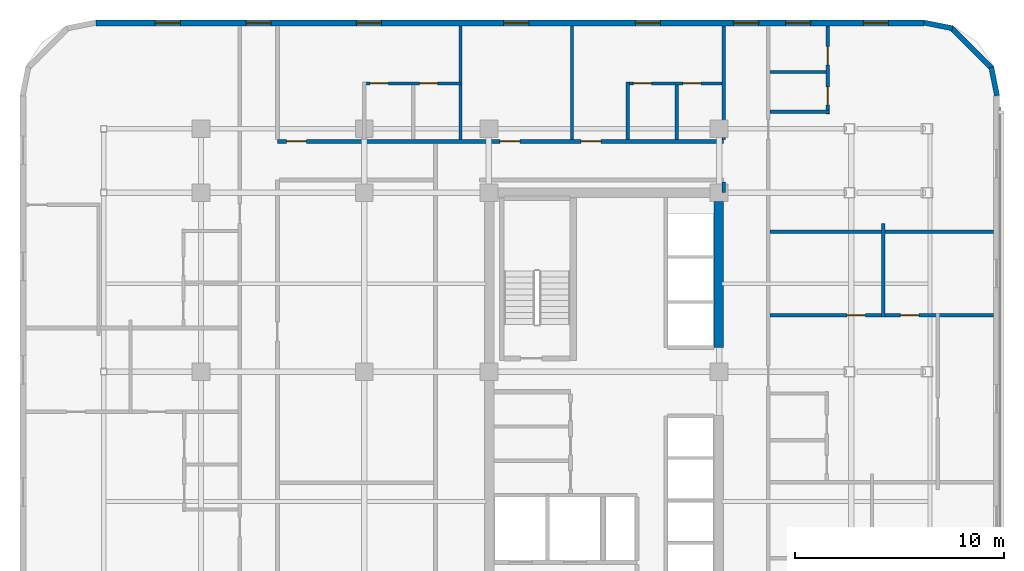
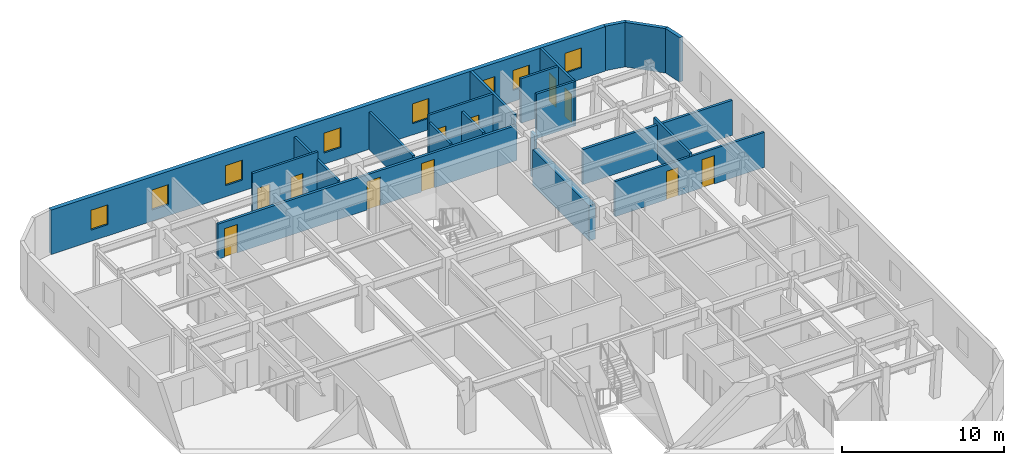
# One storey, part 10 of 14: 20 walls, 11 doors, 8 windows, 19 openings.
"""IFC4 building model written with IfcOpenShell, lengths in metres."""

from ifc_helpers import new_model, si_unit, direction, frame, frame_2d, origin, place, context, subcontext, project, spatial, rectangle, extrude, material, layer, layer_set, type_object, element, fill, save


model = new_model("IFC4")

# Units and contexts
model_context = context("Model", 3, precision=1e-05, world=origin(), true_north=direction((0.0, 1.0)))
body_context = subcontext(model_context, "Body", "Model", "MODEL_VIEW")
ifc_project = project(units=[si_unit("LENGTHUNIT", "METRE"), si_unit("AREAUNIT", "SQUARE_METRE"), si_unit("VOLUMEUNIT", "CUBIC_METRE"), si_unit("PLANEANGLEUNIT", "RADIAN"), si_unit("MASSUNIT", "GRAM", prefix="KILO")], contexts=[model_context])

# Site, building, storey
site_placement = place(None, origin())
site = spatial("IfcSite", under=ifc_project, at=site_placement, CompositionType="ELEMENT")
building_placement = place(site_placement, origin())
building = spatial("IfcBuilding", under=site, at=building_placement, Name="Ochreholt Gables", CompositionType="ELEMENT")
storey_placement = place(building_placement, frame((0.0, 0.0, 42.0)))
storey = spatial("IfcBuildingStorey", under=building, at=storey_placement, Name="L10", CompositionType="ELEMENT", Elevation=42.0)

# Wall
ifc_material_1 = material(Name="Concrete 60 MPa", Category="concrete")
ifc_layer_1 = layer(ifc_material_1, 0.449951171875, Name="Concrete 60 MPa")
ifc_layer_set_1 = layer_set([ifc_layer_1], Name="Concrete 60 MPa")
wall_type_1 = type_object("IfcWallType", Name="WALL-CSW-450", PredefinedType="SHEAR", material=ifc_layer_set_1)
wall_1_placement = place(storey_placement, frame((35.175048828125, 31.35009765625, 0.0), z_axis=(0.0, 0.0, 1.0), x_axis=(0.0, 1.0, 0.0)))
element("IfcWall", 1, at=wall_1_placement, inside=storey, type_object=wall_type_1, Name="L10 Core North-East Shear Wall", PredefinedType="SHEAR", context=body_context, shape_type="SweptSolid", body=[
    extrude(rectangle(XDim=6.974853515625, YDim=0.449951171875, at=frame_2d((3.4873046875, 0.0))), origin(), (0.0, 0.0, 1.0), 2.6669921875),
])

# Wall, openings, windows
ifc_material_2 = material(Name="Precast concrete 40 MPa", Category="concrete")
ifc_layer_2 = layer(ifc_material_2, 0.2900390625, Name="Precast concrete 40 MPa")
ifc_layer_set_2 = layer_set([ifc_layer_2], Name="Precast concrete 40 MPa")
wall_type_2 = type_object("IfcWallType", Name="WALL-EXT-290", PredefinedType="SOLIDWALL", material=ifc_layer_set_2)
wall_2_placement = place(storey_placement, frame((44.97998046875, 46.85498046875, 0.0), z_axis=(0.0, 0.0, 1.0), x_axis=(-1.0, 0.0, 0.0)))
wall_2 = element("IfcWall", 2, at=wall_2_placement, inside=storey, type_object=wall_type_2, Name="L10 North Exterior Wall", PredefinedType="SOLIDWALL", context=body_context, shape_type="SweptSolid", body=[
    extrude(rectangle(XDim=39.56005859375, YDim=0.2900390625, at=frame_2d((19.780029296875, 0.0))), origin(), (0.0, 0.0, 1.0), 3.360107421875),
])
opening_1_placement = place(wall_2_placement, frame((35.52001953125, 0.0, 0.85009765625)))
opening_1 = element("IfcOpeningElement", 3, at=opening_1_placement, cuts=wall_2, Name="Opening WN-3", PredefinedType="OPENING", context=body_context, shape_type="SweptSolid", body=[
    extrude(rectangle(XDim=1.199951171875, YDim=1.5, at=frame_2d((0.60009765625, 0.75))), frame((0.0, 0.155029296875, 0.0), z_axis=(0.0, -1.0, 0.0), x_axis=(1.0, 0.0, 0.0)), (0.0, 0.0, 1.0), 0.31005859375),
])
opening_2_placement = place(wall_2_placement, frame((31.179931640625, 0.0, 0.85009765625)))
opening_2 = element("IfcOpeningElement", 4, at=opening_2_placement, cuts=wall_2, Name="Opening WN-3", PredefinedType="OPENING", context=body_context, shape_type="SweptSolid", body=[
    extrude(rectangle(XDim=1.199951171875, YDim=1.5, at=frame_2d((0.60009765625, 0.75))), frame((0.0, 0.155029296875, 0.0), z_axis=(0.0, -1.0, 0.0), x_axis=(1.0, 0.0, 0.0)), (0.0, 0.0, 1.0), 0.31005859375),
])
opening_3_placement = place(wall_2_placement, frame((25.909423828125, 0.0, 0.85009765625)))
opening_3 = element("IfcOpeningElement", 5, at=opening_3_placement, cuts=wall_2, Name="Opening WN-3", PredefinedType="OPENING", context=body_context, shape_type="SweptSolid", body=[
    extrude(rectangle(XDim=1.199951171875, YDim=1.5, at=frame_2d((0.60009765625, 0.75))), frame((0.0, 0.155029296875, 0.0), z_axis=(0.0, -1.0, 0.0), x_axis=(1.0, 0.0, 0.0)), (0.0, 0.0, 1.0), 0.31005859375),
])
opening_4_placement = place(wall_2_placement, frame((18.873779296875, 0.0, 0.85009765625)))
opening_4 = element("IfcOpeningElement", 6, at=opening_4_placement, cuts=wall_2, Name="Opening WN-3", PredefinedType="OPENING", context=body_context, shape_type="SweptSolid", body=[
    extrude(rectangle(XDim=1.199951171875, YDim=1.5, at=frame_2d((0.60009765625, 0.75))), frame((0.0, 0.155029296875, 0.0), z_axis=(0.0, -1.0, 0.0), x_axis=(1.0, 0.0, 0.0)), (0.0, 0.0, 1.0), 0.31005859375),
])
opening_5_placement = place(wall_2_placement, frame((12.58447265625, 0.0, 0.85009765625)))
opening_5 = element("IfcOpeningElement", 7, at=opening_5_placement, cuts=wall_2, Name="Opening WN-3", PredefinedType="OPENING", context=body_context, shape_type="SweptSolid", body=[
    extrude(rectangle(XDim=1.199951171875, YDim=1.5, at=frame_2d((0.60009765625, 0.75))), frame((0.0, 0.155029296875, 0.0), z_axis=(0.0, -1.0, 0.0), x_axis=(1.0, 0.0, 0.0)), (0.0, 0.0, 1.0), 0.31005859375),
])
opening_6_placement = place(wall_2_placement, frame((7.89501953125, 0.0, 0.85009765625)))
opening_6 = element("IfcOpeningElement", 8, at=opening_6_placement, cuts=wall_2, Name="Opening WN-3", PredefinedType="OPENING", context=body_context, shape_type="SweptSolid", body=[
    extrude(rectangle(XDim=1.199951171875, YDim=1.5, at=frame_2d((0.60009765625, 0.75))), frame((0.0, 0.155029296875, 0.0), z_axis=(0.0, -1.0, 0.0), x_axis=(1.0, 0.0, 0.0)), (0.0, 0.0, 1.0), 0.31005859375),
])
opening_7_placement = place(wall_2_placement, frame((5.407958984375, 0.0, 0.85009765625)))
opening_7 = element("IfcOpeningElement", 9, at=opening_7_placement, cuts=wall_2, Name="Opening WN-3", PredefinedType="OPENING", context=body_context, shape_type="SweptSolid", body=[
    extrude(rectangle(XDim=1.199951171875, YDim=1.5, at=frame_2d((0.60009765625, 0.75))), frame((0.0, 0.155029296875, 0.0), z_axis=(0.0, -1.0, 0.0), x_axis=(1.0, 0.0, 0.0)), (0.0, 0.0, 1.0), 0.31005859375),
])
opening_8_placement = place(wall_2_placement, frame((1.693115234375, 0.0, 0.85009765625)))
opening_8 = element("IfcOpeningElement", 10, at=opening_8_placement, cuts=wall_2, Name="Opening WN-3", PredefinedType="OPENING", context=body_context, shape_type="SweptSolid", body=[
    extrude(rectangle(XDim=1.199951171875, YDim=1.5, at=frame_2d((0.60009765625, 0.75))), frame((0.0, 0.155029296875, 0.0), z_axis=(0.0, -1.0, 0.0), x_axis=(1.0, 0.0, 0.0)), (0.0, 0.0, 1.0), 0.31005859375),
])
ifc_material_3 = material(Name="Triple-Glazed Thermally Broken Aluminium Window", Category="aluminium")
window_type = type_object("IfcWindowType", Name="WIN-RES-1200", PartitioningType="SINGLE_PANEL", PredefinedType="WINDOW", material=ifc_material_3)
window_1_placement = place(opening_1_placement, origin())
window_1 = element("IfcWindow", 11, at=window_1_placement, inside=storey, type_object=window_type, Name="L10 Window W-EXT-N-L10-1", OverallHeight=1.5, OverallWidth=1.199951171875, PartitioningType="SINGLE_PANEL", PredefinedType="WINDOW", context=body_context, shape_type="SweptSolid", body=[
    extrude(rectangle(XDim=1.199951171875, YDim=1.5, at=frame_2d((0.60009765625, 0.75))), frame((0.0, 0.030029296875, 0.0), z_axis=(0.0, -1.0, 0.0), x_axis=(1.0, 0.0, 0.0)), (0.0, 0.0, 1.0), 0.06005859375),
])
fill(opening_1, window_1)
window_2_placement = place(opening_2_placement, origin())
window_2 = element("IfcWindow", 12, at=window_2_placement, inside=storey, type_object=window_type, Name="L10 Window W-EXT-N-L10-2", OverallHeight=1.5, OverallWidth=1.199951171875, PartitioningType="SINGLE_PANEL", PredefinedType="WINDOW", context=body_context, shape_type="SweptSolid", body=[
    extrude(rectangle(XDim=1.199951171875, YDim=1.5, at=frame_2d((0.60009765625, 0.75))), frame((0.0, 0.030029296875, 0.0), z_axis=(0.0, -1.0, 0.0), x_axis=(1.0, 0.0, 0.0)), (0.0, 0.0, 1.0), 0.06005859375),
])
fill(opening_2, window_2)
window_3_placement = place(opening_3_placement, origin())
window_3 = element("IfcWindow", 13, at=window_3_placement, inside=storey, type_object=window_type, Name="L10 Window W-EXT-N-L10-3", OverallHeight=1.5, OverallWidth=1.199951171875, PartitioningType="SINGLE_PANEL", PredefinedType="WINDOW", context=body_context, shape_type="SweptSolid", body=[
    extrude(rectangle(XDim=1.199951171875, YDim=1.5, at=frame_2d((0.60009765625, 0.75))), frame((0.0, 0.030029296875, 0.0), z_axis=(0.0, -1.0, 0.0), x_axis=(1.0, 0.0, 0.0)), (0.0, 0.0, 1.0), 0.06005859375),
])
fill(opening_3, window_3)
window_4_placement = place(opening_4_placement, origin())
window_4 = element("IfcWindow", 14, at=window_4_placement, inside=storey, type_object=window_type, Name="L10 Window W-EXT-N-L10-4", OverallHeight=1.5, OverallWidth=1.199951171875, PartitioningType="SINGLE_PANEL", PredefinedType="WINDOW", context=body_context, shape_type="SweptSolid", body=[
    extrude(rectangle(XDim=1.199951171875, YDim=1.5, at=frame_2d((0.60009765625, 0.75))), frame((0.0, 0.030029296875, 0.0), z_axis=(0.0, -1.0, 0.0), x_axis=(1.0, 0.0, 0.0)), (0.0, 0.0, 1.0), 0.06005859375),
])
fill(opening_4, window_4)
window_5_placement = place(opening_5_placement, origin())
window_5 = element("IfcWindow", 15, at=window_5_placement, inside=storey, type_object=window_type, Name="L10 Window W-EXT-N-L10-5", OverallHeight=1.5, OverallWidth=1.199951171875, PartitioningType="SINGLE_PANEL", PredefinedType="WINDOW", context=body_context, shape_type="SweptSolid", body=[
    extrude(rectangle(XDim=1.199951171875, YDim=1.5, at=frame_2d((0.60009765625, 0.75))), frame((0.0, 0.030029296875, 0.0), z_axis=(0.0, -1.0, 0.0), x_axis=(1.0, 0.0, 0.0)), (0.0, 0.0, 1.0), 0.06005859375),
])
fill(opening_5, window_5)
window_6_placement = place(opening_6_placement, origin())
window_6 = element("IfcWindow", 16, at=window_6_placement, inside=storey, type_object=window_type, Name="L10 Window W-EXT-N-L10-6", OverallHeight=1.5, OverallWidth=1.199951171875, PartitioningType="SINGLE_PANEL", PredefinedType="WINDOW", context=body_context, shape_type="SweptSolid", body=[
    extrude(rectangle(XDim=1.199951171875, YDim=1.5, at=frame_2d((0.60009765625, 0.75))), frame((0.0, 0.030029296875, 0.0), z_axis=(0.0, -1.0, 0.0), x_axis=(1.0, 0.0, 0.0)), (0.0, 0.0, 1.0), 0.06005859375),
])
fill(opening_6, window_6)
window_7_placement = place(opening_7_placement, origin())
window_7 = element("IfcWindow", 17, at=window_7_placement, inside=storey, type_object=window_type, Name="L10 Window W-EXT-N-L10-7", OverallHeight=1.5, OverallWidth=1.199951171875, PartitioningType="SINGLE_PANEL", PredefinedType="WINDOW", context=body_context, shape_type="SweptSolid", body=[
    extrude(rectangle(XDim=1.199951171875, YDim=1.5, at=frame_2d((0.60009765625, 0.75))), frame((0.0, 0.030029296875, 0.0), z_axis=(0.0, -1.0, 0.0), x_axis=(1.0, 0.0, 0.0)), (0.0, 0.0, 1.0), 0.06005859375),
])
fill(opening_7, window_7)
window_8_placement = place(opening_8_placement, origin())
window_8 = element("IfcWindow", 18, at=window_8_placement, inside=storey, type_object=window_type, Name="L10 Window W-EXT-N-L10-8", OverallHeight=1.5, OverallWidth=1.199951171875, PartitioningType="SINGLE_PANEL", PredefinedType="WINDOW", context=body_context, shape_type="SweptSolid", body=[
    extrude(rectangle(XDim=1.199951171875, YDim=1.5, at=frame_2d((0.60009765625, 0.75))), frame((0.0, 0.030029296875, 0.0), z_axis=(0.0, -1.0, 0.0), x_axis=(1.0, 0.0, 0.0)), (0.0, 0.0, 1.0), 0.06005859375),
])
fill(opening_8, window_8)

# Walls
ifc_layer_3 = layer(ifc_material_2, 0.25, Name="Precast concrete 40 MPa")
ifc_layer_set_3 = layer_set([ifc_layer_3], Name="Precast concrete 40 MPa")
wall_type_3 = type_object("IfcWallType", Name="WALL-EXT-CNR", PredefinedType="SOLIDWALL", material=ifc_layer_set_3)
wall_3_placement = place(storey_placement, frame((48.475830078125, 43.383544921875, 0.0), z_axis=(0.0, 0.0, 1.0), x_axis=(-0.19496651342, 0.980809899341, 0.0)))
element("IfcWall", 19, at=wall_3_placement, inside=storey, type_object=wall_type_3, Name="L10 Rounded Corner Wall NE-1", PredefinedType="SOLIDWALL", context=body_context, shape_type="SweptSolid", body=[
    extrude(rectangle(XDim=1.388671875, YDim=0.25, at=frame_2d((0.6943359375, 0.0))), origin(), (0.0, 0.0, 1.0), 3.360107421875),
])
wall_4_placement = place(storey_placement, frame((48.23193359375, 44.695068359375, 0.0), z_axis=(0.0, 0.0, 1.0), x_axis=(-0.707106781187, 0.707106781187, 0.0)))
element("IfcWall", 20, at=wall_4_placement, inside=storey, type_object=wall_type_3, Name="L10 Rounded Corner Wall NE-2", PredefinedType="SOLIDWALL", context=body_context, shape_type="SweptSolid", body=[
    extrude(rectangle(XDim=2.7392578125, YDim=0.25, at=frame_2d((1.36962890625, 0.0))), origin(), (0.0, 0.0, 1.0), 3.360107421875),
])
wall_5_placement = place(storey_placement, frame((46.345458984375, 46.60498046875, 0.0), z_axis=(0.0, 0.0, 1.0), x_axis=(-0.980809899341, 0.19496651342, 0.0)))
element("IfcWall", 21, at=wall_5_placement, inside=storey, type_object=wall_type_3, Name="L10 Rounded Corner Wall NE-3", PredefinedType="SOLIDWALL", context=body_context, shape_type="SweptSolid", body=[
    extrude(rectangle(XDim=1.388671875, YDim=0.25, at=frame_2d((0.6943359375, 0.0))), origin(), (0.0, 0.0, 1.0), 3.360107421875),
])

# Wall, openings, doors
ifc_material_4 = material(Name="Fire-Rated Gypsum Acoustic Partition", Category="gypsum")
ifc_layer_4 = layer(ifc_material_4, 0.179931640625, Name="Fire-Rated Gypsum Acoustic Partition")
ifc_layer_set_4 = layer_set([ifc_layer_4], Name="Fire-Rated Gypsum Acoustic Partition")
wall_type_4 = type_object("IfcWallType", Name="WALL-INT-CR180", PredefinedType="STANDARD", material=ifc_layer_set_4)
wall_6_placement = place(storey_placement, frame((14.10009765625, 41.199951171875, 0.0), z_axis=(0.0, 0.0, 1.0), x_axis=(1.0, 0.0, 0.0)))
wall_6 = element("IfcWall", 22, at=wall_6_placement, inside=storey, type_object=wall_type_4, Name="L10 Interior Wall WI-C1N-L10", PredefinedType="STANDARD", context=body_context, shape_type="SweptSolid", body=[
    extrude(rectangle(XDim=21.31982421875, YDim=0.179931640625, at=frame_2d((10.659912109375, 0.0))), origin(), (0.0, 0.0, 1.0), 2.64892578125),
])
opening_9_placement = place(wall_6_placement, frame((0.43994140625, 0.0, 0.0)))
opening_9 = element("IfcOpeningElement", 23, at=opening_9_placement, cuts=wall_6, Name="Opening D-UN2", PredefinedType="OPENING", context=body_context, shape_type="SweptSolid", body=[
    extrude(rectangle(XDim=0.93994140625, YDim=2.14990234375, at=frame_2d((0.469970703125, 1.074951171875))), frame((0.0, 0.099853515625, 0.0), z_axis=(0.0, -1.0, 0.0), x_axis=(1.0, 0.0, 0.0)), (0.0, 0.0, 1.0), 0.199951171875),
])
opening_10_placement = place(wall_6_placement, frame((10.631103515625, 0.0, 0.0)))
opening_10 = element("IfcOpeningElement", 24, at=opening_10_placement, cuts=wall_6, Name="Opening D-GN1", PredefinedType="OPENING", context=body_context, shape_type="SweptSolid", body=[
    extrude(rectangle(XDim=0.949951171875, YDim=2.14990234375, at=frame_2d((0.47509765625, 1.074951171875))), frame((0.0, 0.099853515625, 0.0), z_axis=(0.0, -1.0, 0.0), x_axis=(1.0, 0.0, 0.0)), (0.0, 0.0, 1.0), 0.199951171875),
])
opening_11_placement = place(wall_6_placement, frame((14.51123046875, 0.0, 0.0)))
opening_11 = element("IfcOpeningElement", 25, at=opening_11_placement, cuts=wall_6, Name="Opening D-UN2", PredefinedType="OPENING", context=body_context, shape_type="SweptSolid", body=[
    extrude(rectangle(XDim=0.93994140625, YDim=2.14990234375, at=frame_2d((0.469970703125, 1.074951171875))), frame((0.0, 0.099853515625, 0.0), z_axis=(0.0, -1.0, 0.0), x_axis=(1.0, 0.0, 0.0)), (0.0, 0.0, 1.0), 0.199951171875),
])
ifc_material_5 = material(Name="Engineered Oak Timber", Category="wood")
door_type_1 = type_object("IfcDoorType", Name="DR-INT-GEN950", OperationType="NOTDEFINED", PredefinedType="DOOR", material=ifc_material_5)
door_1_placement = place(opening_10_placement, origin())
door_1 = element("IfcDoor", 26, at=door_1_placement, inside=storey, type_object=door_type_1, Name="L10 Door D-C1N3-L10", OperationType="SINGLE_SWING_RIGHT", OverallHeight=2.14990234375, OverallWidth=0.949951171875, PredefinedType="DOOR", context=body_context, shape_type="SweptSolid", body=[
    extrude(rectangle(XDim=0.949951171875, YDim=2.14990234375, at=frame_2d((0.47509765625, 1.074951171875))), frame((0.0, 0.02490234375, 0.0), z_axis=(0.0, -1.0, 0.0), x_axis=(1.0, 0.0, 0.0)), (0.0, 0.0, 1.0), 0.050048828125),
])
fill(opening_10, door_1)
door_type_2 = type_object("IfcDoorType", Name="DR-INT-UNT940", OperationType="NOTDEFINED", PredefinedType="DOOR", material=ifc_material_5)
door_2_placement = place(opening_9_placement, origin())
door_2 = element("IfcDoor", 27, at=door_2_placement, inside=storey, type_object=door_type_2, Name="L10 Door D-U-L10N1-ENT", OperationType="SINGLE_SWING_RIGHT", OverallHeight=2.14990234375, OverallWidth=0.93994140625, PredefinedType="DOOR", context=body_context, shape_type="SweptSolid", body=[
    extrude(rectangle(XDim=0.93994140625, YDim=2.14990234375, at=frame_2d((0.469970703125, 1.074951171875))), frame((0.0, 0.02490234375, 0.0), z_axis=(0.0, -1.0, 0.0), x_axis=(1.0, 0.0, 0.0)), (0.0, 0.0, 1.0), 0.050048828125),
])
fill(opening_9, door_2)
door_3_placement = place(opening_11_placement, origin())
door_3 = element("IfcDoor", 28, at=door_3_placement, inside=storey, type_object=door_type_2, Name="L10 Door D-U-L10N3-ENT", OperationType="SINGLE_SWING_RIGHT", OverallHeight=2.14990234375, OverallWidth=0.93994140625, PredefinedType="DOOR", context=body_context, shape_type="SweptSolid", body=[
    extrude(rectangle(XDim=0.93994140625, YDim=2.14990234375, at=frame_2d((0.469970703125, 1.074951171875))), frame((0.0, 0.02490234375, 0.0), z_axis=(0.0, -1.0, 0.0), x_axis=(1.0, 0.0, 0.0)), (0.0, 0.0, 1.0), 0.050048828125),
])
fill(opening_11, door_3)

# Walls
wall_7_placement = place(storey_placement, frame((35.419921875, 38.75, 0.0), z_axis=(0.0, 0.0, 1.0), x_axis=(0.0, 1.0, 0.0)))
element("IfcWall", 29, at=wall_7_placement, inside=storey, type_object=wall_type_4, Name="L10 Interior Wall WI-C1ENW2-L10", PredefinedType="STANDARD", context=body_context, shape_type="SweptSolid", body=[
    extrude(rectangle(XDim=0.510009765625, YDim=0.179931640625, at=frame_2d((0.2548828125, 0.0))), origin(), (0.0, 0.0, 1.0), 3.360107421875),
])
ifc_material_6 = material(Name="Double-Stud Acoustic Demising Wall", Category="gypsum")
ifc_layer_5 = layer(ifc_material_6, 0.179931640625, Name="Double-Stud Acoustic Demising Wall")
ifc_layer_set_5 = layer_set([ifc_layer_5], Name="Double-Stud Acoustic Demising Wall")
wall_type_5 = type_object("IfcWallType", Name="WALL-INT-DM180", PredefinedType="PARTITIONING", material=ifc_layer_set_5)
wall_8_placement = place(storey_placement, frame((35.419921875, 41.2900390625, 0.0), z_axis=(0.0, 0.0, 1.0), x_axis=(0.0, 1.0, 0.0)))
element("IfcWall", 30, at=wall_8_placement, inside=storey, type_object=wall_type_5, Name="L10 Interior Wall WI-C1ENW-L10", PredefinedType="PARTITIONING", context=body_context, shape_type="SweptSolid", body=[
    extrude(rectangle(XDim=5.419921875, YDim=0.179931640625, at=frame_2d((2.7099609375, 0.0))), origin(), (0.0, 0.0, 1.0), 3.360107421875),
])
wall_9_placement = place(storey_placement, frame((37.639892578125, 36.8798828125, 0.0), z_axis=(0.0, 0.0, 1.0), x_axis=(1.0, 0.0, 0.0)))
element("IfcWall", 31, at=wall_9_placement, inside=storey, type_object=wall_type_5, Name="L10 Interior Wall WI-UDE4-L10", PredefinedType="PARTITIONING", context=body_context, shape_type="SweptSolid", body=[
    extrude(rectangle(XDim=10.670166015625, YDim=0.179931640625, at=frame_2d((5.3349609375, 0.0))), origin(), (0.0, 0.0, 1.0), 2.64892578125),
])
ifc_material_7 = material(Name="Moisture-Resistant Plumbing Chase Wall", Category="gypsum")
ifc_layer_6 = layer(ifc_material_7, 0.159912109375, Name="Moisture-Resistant Plumbing Chase Wall")
ifc_layer_set_6 = layer_set([ifc_layer_6], Name="Moisture-Resistant Plumbing Chase Wall")
wall_type_6 = type_object("IfcWallType", Name="WALL-INT-PL160", PredefinedType="PLUMBINGWALL", material=ifc_layer_set_6)
wall_10_placement = place(storey_placement, frame((37.639892578125, 42.610107421875, 0.0), z_axis=(0.0, 0.0, 1.0), x_axis=(1.0, 0.0, 0.0)))
element("IfcWall", 32, at=wall_10_placement, inside=storey, type_object=wall_type_6, Name="L10 Interior Wall WU-L10E4-WYS", PredefinedType="PLUMBINGWALL", context=body_context, shape_type="SweptSolid", body=[
    extrude(rectangle(XDim=2.834228515625, YDim=0.159912109375, at=frame_2d((1.4169921875, 0.0))), origin(), (0.0, 0.0, 1.0), 3.360107421875),
])

# Wall, openings, doors
wall_11_placement = place(storey_placement, frame((40.39404296875, 42.52001953125, 0.0), z_axis=(0.0, 0.0, 1.0), x_axis=(0.0, 1.0, 0.0)))
wall_11 = element("IfcWall", 33, at=wall_11_placement, inside=storey, type_object=wall_type_6, Name="L10 Interior Wall WU-L10E4-WX", PredefinedType="PLUMBINGWALL", context=body_context, shape_type="SweptSolid", body=[
    extrude(rectangle(XDim=4.18994140625, YDim=0.159912109375, at=frame_2d((2.094970703125, 0.0))), origin(), (0.0, 0.0, 1.0), 3.360107421875),
])
opening_12_placement = place(wall_11_placement, frame((0.419921875, 0.0, 0.0)))
opening_12 = element("IfcOpeningElement", 34, at=opening_12_placement, cuts=wall_11, Name="Opening D-BT1", PredefinedType="OPENING", context=body_context, shape_type="SweptSolid", body=[
    extrude(rectangle(XDim=0.860107421875, YDim=2.1201171875, at=frame_2d((0.43017578125, 1.06005859375))), frame((0.0, 0.08984375, 0.0), z_axis=(0.0, -1.0, 0.0), x_axis=(1.0, 0.0, 0.0)), (0.0, 0.0, 1.0), 0.179931640625),
])
opening_13_placement = place(wall_11_placement, frame((2.3291015625, 0.0, 0.0)))
opening_13 = element("IfcOpeningElement", 35, at=opening_13_placement, cuts=wall_11, Name="Opening D-GN2", PredefinedType="OPENING", context=body_context, shape_type="SweptSolid", body=[
    extrude(rectangle(XDim=0.8798828125, YDim=2.1201171875, at=frame_2d((0.43994140625, 1.06005859375))), frame((0.0, 0.08984375, 0.0), z_axis=(0.0, -1.0, 0.0), x_axis=(1.0, 0.0, 0.0)), (0.0, 0.0, 1.0), 0.179931640625),
])
door_type_3 = type_object("IfcDoorType", Name="DR-INT-BTH860", OperationType="NOTDEFINED", PredefinedType="DOOR", material=ifc_material_5)
door_4_placement = place(opening_12_placement, origin())
door_4 = element("IfcDoor", 36, at=door_4_placement, inside=storey, type_object=door_type_3, Name="L10 Door D-U-L10E4-BTH", OperationType="SINGLE_SWING_RIGHT", OverallHeight=2.1201171875, OverallWidth=0.860107421875, PredefinedType="DOOR", context=body_context, shape_type="SweptSolid", body=[
    extrude(rectangle(XDim=0.860107421875, YDim=2.1201171875, at=frame_2d((0.43017578125, 1.06005859375))), frame((0.0, 0.02490234375, 0.0), z_axis=(0.0, -1.0, 0.0), x_axis=(1.0, 0.0, 0.0)), (0.0, 0.0, 1.0), 0.050048828125),
])
fill(opening_12, door_4)
door_type_4 = type_object("IfcDoorType", Name="DR-INT-GEN880", OperationType="NOTDEFINED", PredefinedType="DOOR", material=ifc_material_5)
door_5_placement = place(opening_13_placement, origin())
door_5 = element("IfcDoor", 37, at=door_5_placement, inside=storey, type_object=door_type_4, Name="L10 Door D-U-L10E4-KIT", OperationType="SINGLE_SWING_LEFT", OverallHeight=2.1201171875, OverallWidth=0.8798828125, PredefinedType="DOOR", context=body_context, shape_type="SweptSolid", body=[
    extrude(rectangle(XDim=0.8798828125, YDim=2.1201171875, at=frame_2d((0.43994140625, 1.06005859375))), frame((0.0, 0.02490234375, 0.0), z_axis=(0.0, -1.0, 0.0), x_axis=(1.0, 0.0, 0.0)), (0.0, 0.0, 1.0), 0.050048828125),
])
fill(opening_13, door_5)

# Wall
wall_12_placement = place(storey_placement, frame((37.639892578125, 44.51904296875, 0.0), z_axis=(0.0, 0.0, 1.0), x_axis=(1.0, 0.0, 0.0)))
element("IfcWall", 38, at=wall_12_placement, inside=storey, type_object=wall_type_6, Name="L10 Interior Wall WU-L10E4-WM", PredefinedType="PLUMBINGWALL", context=body_context, shape_type="SweptSolid", body=[
    extrude(rectangle(XDim=2.674072265625, YDim=0.159912109375, at=frame_2d((1.3369140625, 0.0))), origin(), (0.0, 0.0, 1.0), 3.360107421875),
])

# Wall, openings, doors
wall_13_placement = place(storey_placement, frame((18.171142578125, 43.969970703125, 0.0), z_axis=(0.0, 0.0, 1.0), x_axis=(1.0, 0.0, 0.0)))
wall_13 = element("IfcWall", 39, at=wall_13_placement, inside=storey, type_object=wall_type_6, Name="L10 Interior Wall WU-L10N1-WY", PredefinedType="PLUMBINGWALL", context=body_context, shape_type="SweptSolid", body=[
    extrude(rectangle(XDim=4.670166015625, YDim=0.159912109375, at=frame_2d((2.3349609375, 0.0))), origin(), (0.0, 0.0, 1.0), 3.360107421875),
])
opening_14_placement = place(wall_13_placement, frame((0.35009765625, 0.0, 0.0)))
opening_14 = element("IfcOpeningElement", 40, at=opening_14_placement, cuts=wall_13, Name="Opening D-GN2", PredefinedType="OPENING", context=body_context, shape_type="SweptSolid", body=[
    extrude(rectangle(XDim=0.8798828125, YDim=2.1201171875, at=frame_2d((0.43994140625, 1.06005859375))), frame((0.0, 0.08984375, 0.0), z_axis=(0.0, -1.0, 0.0), x_axis=(1.0, 0.0, 0.0)), (0.0, 0.0, 1.0), 0.179931640625),
])
opening_15_placement = place(wall_13_placement, frame((2.719970703125, 0.0, 0.0)))
opening_15 = element("IfcOpeningElement", 41, at=opening_15_placement, cuts=wall_13, Name="Opening D-BT1", PredefinedType="OPENING", context=body_context, shape_type="SweptSolid", body=[
    extrude(rectangle(XDim=0.860107421875, YDim=2.1201171875, at=frame_2d((0.43017578125, 1.06005859375))), frame((0.0, 0.08984375, 0.0), z_axis=(0.0, -1.0, 0.0), x_axis=(1.0, 0.0, 0.0)), (0.0, 0.0, 1.0), 0.179931640625),
])
door_6_placement = place(opening_15_placement, origin())
door_6 = element("IfcDoor", 42, at=door_6_placement, inside=storey, type_object=door_type_3, Name="L10 Door D-U-L10N1-BTH", OperationType="SINGLE_SWING_RIGHT", OverallHeight=2.1201171875, OverallWidth=0.860107421875, PredefinedType="DOOR", context=body_context, shape_type="SweptSolid", body=[
    extrude(rectangle(XDim=0.860107421875, YDim=2.1201171875, at=frame_2d((0.43017578125, 1.06005859375))), frame((0.0, 0.02490234375, 0.0), z_axis=(0.0, -1.0, 0.0), x_axis=(1.0, 0.0, 0.0)), (0.0, 0.0, 1.0), 0.050048828125),
])
fill(opening_15, door_6)
door_7_placement = place(opening_14_placement, origin())
door_7 = element("IfcDoor", 43, at=door_7_placement, inside=storey, type_object=door_type_4, Name="L10 Door D-U-L10N1-KIT", OperationType="SINGLE_SWING_LEFT", OverallHeight=2.1201171875, OverallWidth=0.8798828125, PredefinedType="DOOR", context=body_context, shape_type="SweptSolid", body=[
    extrude(rectangle(XDim=0.8798828125, YDim=2.1201171875, at=frame_2d((0.43994140625, 1.06005859375))), frame((0.0, 0.02490234375, 0.0), z_axis=(0.0, -1.0, 0.0), x_axis=(1.0, 0.0, 0.0)), (0.0, 0.0, 1.0), 0.050048828125),
])
fill(opening_14, door_7)

wall_14_placement = place(storey_placement, frame((30.75, 43.969970703125, 0.0), z_axis=(0.0, 0.0, 1.0), x_axis=(1.0, 0.0, 0.0)))
wall_14 = element("IfcWall", 44, at=wall_14_placement, inside=storey, type_object=wall_type_6, Name="L10 Interior Wall WU-L10N3-WY", PredefinedType="PLUMBINGWALL", context=body_context, shape_type="SweptSolid", body=[
    extrude(rectangle(XDim=4.580078125, YDim=0.159912109375, at=frame_2d((2.2900390625, 0.0))), origin(), (0.0, 0.0, 1.0), 3.360107421875),
])
opening_16_placement = place(wall_14_placement, frame((0.35009765625, 0.0, 0.0)))
opening_16 = element("IfcOpeningElement", 45, at=opening_16_placement, cuts=wall_14, Name="Opening D-GN2", PredefinedType="OPENING", context=body_context, shape_type="SweptSolid", body=[
    extrude(rectangle(XDim=0.8798828125, YDim=2.1201171875, at=frame_2d((0.43994140625, 1.06005859375))), frame((0.0, 0.08984375, 0.0), z_axis=(0.0, -1.0, 0.0), x_axis=(1.0, 0.0, 0.0)), (0.0, 0.0, 1.0), 0.179931640625),
])
opening_17_placement = place(wall_14_placement, frame((2.719970703125, 0.0, 0.0)))
opening_17 = element("IfcOpeningElement", 46, at=opening_17_placement, cuts=wall_14, Name="Opening D-BT1", PredefinedType="OPENING", context=body_context, shape_type="SweptSolid", body=[
    extrude(rectangle(XDim=0.860107421875, YDim=2.1201171875, at=frame_2d((0.43017578125, 1.06005859375))), frame((0.0, 0.08984375, 0.0), z_axis=(0.0, -1.0, 0.0), x_axis=(1.0, 0.0, 0.0)), (0.0, 0.0, 1.0), 0.179931640625),
])
door_8_placement = place(opening_17_placement, origin())
door_8 = element("IfcDoor", 47, at=door_8_placement, inside=storey, type_object=door_type_3, Name="L10 Door D-U-L10N3-BTH", OperationType="SINGLE_SWING_RIGHT", OverallHeight=2.1201171875, OverallWidth=0.860107421875, PredefinedType="DOOR", context=body_context, shape_type="SweptSolid", body=[
    extrude(rectangle(XDim=0.860107421875, YDim=2.1201171875, at=frame_2d((0.43017578125, 1.06005859375))), frame((0.0, 0.02490234375, 0.0), z_axis=(0.0, -1.0, 0.0), x_axis=(1.0, 0.0, 0.0)), (0.0, 0.0, 1.0), 0.050048828125),
])
fill(opening_17, door_8)
door_9_placement = place(opening_16_placement, origin())
door_9 = element("IfcDoor", 48, at=door_9_placement, inside=storey, type_object=door_type_4, Name="L10 Door D-U-L10N3-KIT", OperationType="SINGLE_SWING_LEFT", OverallHeight=2.1201171875, OverallWidth=0.8798828125, PredefinedType="DOOR", context=body_context, shape_type="SweptSolid", body=[
    extrude(rectangle(XDim=0.8798828125, YDim=2.1201171875, at=frame_2d((0.43994140625, 1.06005859375))), frame((0.0, 0.02490234375, 0.0), z_axis=(0.0, -1.0, 0.0), x_axis=(1.0, 0.0, 0.0)), (0.0, 0.0, 1.0), 0.050048828125),
])
fill(opening_16, door_9)

# Walls
wall_15_placement = place(storey_placement, frame((30.830078125, 41.2900390625, 0.0), z_axis=(0.0, 0.0, 1.0), x_axis=(0.0, 1.0, 0.0)))
element("IfcWall", 49, at=wall_15_placement, inside=storey, type_object=wall_type_6, Name="L10 Interior Wall WU-L10N3-FY", PredefinedType="PLUMBINGWALL", context=body_context, shape_type="SweptSolid", body=[
    extrude(rectangle(XDim=2.760009765625, YDim=0.159912109375, at=frame_2d((1.3798828125, 0.0))), origin(), (0.0, 0.0, 1.0), 2.80908203125),
])
wall_16_placement = place(storey_placement, frame((33.169921875, 41.2900390625, 0.0), z_axis=(0.0, 0.0, 1.0), x_axis=(0.0, 1.0, 0.0)))
element("IfcWall", 50, at=wall_16_placement, inside=storey, type_object=wall_type_6, Name="L10 Interior Wall WU-L10N3-WK", PredefinedType="PLUMBINGWALL", context=body_context, shape_type="SweptSolid", body=[
    extrude(rectangle(XDim=2.599853515625, YDim=0.159912109375, at=frame_2d((1.2998046875, 0.0))), origin(), (0.0, 0.0, 1.0), 2.80908203125),
])

# Wall, openings, doors
ifc_material_8 = material(Name="Gypsum Acoustic Stud Partition", Category="gypsum")
ifc_layer_7 = layer(ifc_material_8, 0.159912109375, Name="Gypsum Acoustic Stud Partition")
ifc_layer_set_7 = layer_set([ifc_layer_7], Name="Gypsum Acoustic Stud Partition")
wall_type_7 = type_object("IfcWallType", Name="WALL-INT-PT160", PredefinedType="PARTITIONING", material=ifc_layer_set_7)
wall_17_placement = place(storey_placement, frame((37.639892578125, 32.889892578125, 0.0), z_axis=(0.0, 0.0, 1.0), x_axis=(1.0, 0.0, 0.0)))
wall_17 = element("IfcWall", 51, at=wall_17_placement, inside=storey, type_object=wall_type_7, Name="L10 Interior Wall WU-L10E3-MN", PredefinedType="PARTITIONING", context=body_context, shape_type="SweptSolid", body=[
    extrude(rectangle(XDim=10.670166015625, YDim=0.159912109375, at=frame_2d((5.3349609375, 0.0))), origin(), (0.0, 0.0, 1.0), 2.64892578125),
])
opening_18_placement = place(wall_17_placement, frame((3.66162109375, 0.0, 0.0)))
opening_18 = element("IfcOpeningElement", 52, at=opening_18_placement, cuts=wall_17, Name="Opening D-BD2", PredefinedType="OPENING", context=body_context, shape_type="SweptSolid", body=[
    extrude(rectangle(XDim=0.8798828125, YDim=2.139892578125, at=frame_2d((0.43994140625, 1.06982421875))), frame((0.0, 0.08984375, 0.0), z_axis=(0.0, -1.0, 0.0), x_axis=(1.0, 0.0, 0.0)), (0.0, 0.0, 1.0), 0.179931640625),
])
opening_19_placement = place(wall_17_placement, frame((6.222412109375, 0.0, 0.0)))
opening_19 = element("IfcOpeningElement", 53, at=opening_19_placement, cuts=wall_17, Name="Opening D-BD2", PredefinedType="OPENING", context=body_context, shape_type="SweptSolid", body=[
    extrude(rectangle(XDim=0.8798828125, YDim=2.139892578125, at=frame_2d((0.43994140625, 1.06982421875))), frame((0.0, 0.08984375, 0.0), z_axis=(0.0, -1.0, 0.0), x_axis=(1.0, 0.0, 0.0)), (0.0, 0.0, 1.0), 0.179931640625),
])
door_type_5 = type_object("IfcDoorType", Name="DR-INT-BED880", OperationType="NOTDEFINED", PredefinedType="DOOR", material=ifc_material_5)
door_10_placement = place(opening_18_placement, origin())
door_10 = element("IfcDoor", 54, at=door_10_placement, inside=storey, type_object=door_type_5, Name="L10 Door D-U-L10E3-BD1", OperationType="SINGLE_SWING_RIGHT", OverallHeight=2.139892578125, OverallWidth=0.8798828125, PredefinedType="DOOR", context=body_context, shape_type="SweptSolid", body=[
    extrude(rectangle(XDim=0.8798828125, YDim=2.139892578125, at=frame_2d((0.43994140625, 1.06982421875))), frame((0.0, 0.02490234375, 0.0), z_axis=(0.0, -1.0, 0.0), x_axis=(1.0, 0.0, 0.0)), (0.0, 0.0, 1.0), 0.050048828125),
])
fill(opening_18, door_10)
door_11_placement = place(opening_19_placement, origin())
door_11 = element("IfcDoor", 55, at=door_11_placement, inside=storey, type_object=door_type_5, Name="L10 Door D-U-L10E3-BD2", OperationType="SINGLE_SWING_LEFT", OverallHeight=2.139892578125, OverallWidth=0.8798828125, PredefinedType="DOOR", context=body_context, shape_type="SweptSolid", body=[
    extrude(rectangle(XDim=0.8798828125, YDim=2.139892578125, at=frame_2d((0.43994140625, 1.06982421875))), frame((0.0, 0.02490234375, 0.0), z_axis=(0.0, -1.0, 0.0), x_axis=(1.0, 0.0, 0.0)), (0.0, 0.0, 1.0), 0.050048828125),
])
fill(opening_19, door_11)

# Walls
wall_18_placement = place(storey_placement, frame((43.044921875, 32.81005859375, 0.0), z_axis=(0.0, 0.0, 1.0), x_axis=(0.0, 1.0, 0.0)))
element("IfcWall", 56, at=wall_18_placement, inside=storey, type_object=wall_type_7, Name="L10 Interior Wall WU-L10E3-BSD", PredefinedType="PARTITIONING", context=body_context, shape_type="SweptSolid", body=[
    extrude(rectangle(XDim=4.4599609375, YDim=0.159912109375, at=frame_2d((2.22998046875, 0.0))), origin(), (0.0, 0.0, 1.0), 2.931884765625),
])
for number, where, z_axis, x_axis, name in (
    (57, (22.84130859375, 41.2900390625, 0.0), (0.0, 0.0, 1.0), (0.0, 1.0, 0.0), "L10 Interior Wall WI-UDN2-L10"),
    (58, (28.171142578125, 41.2900390625, 0.0), (0.0, 0.0, 1.0), (0.0, 1.0, 0.0), "L10 Interior Wall WI-UDN3-L10"),
):
    element("IfcWall", number, at=place(storey_placement, frame(where, z_axis=z_axis, x_axis=x_axis)), inside=storey, type_object=wall_type_7, Name=name, PredefinedType="PARTITIONING", context=body_context, shape_type="SweptSolid", body=[
        extrude(rectangle(XDim=5.419921875, YDim=0.159912109375, at=frame_2d((2.7099609375, 0.0))), origin(), (0.0, 0.0, 1.0), 2.80908203125),
    ])

save(model, "model.ifc")
